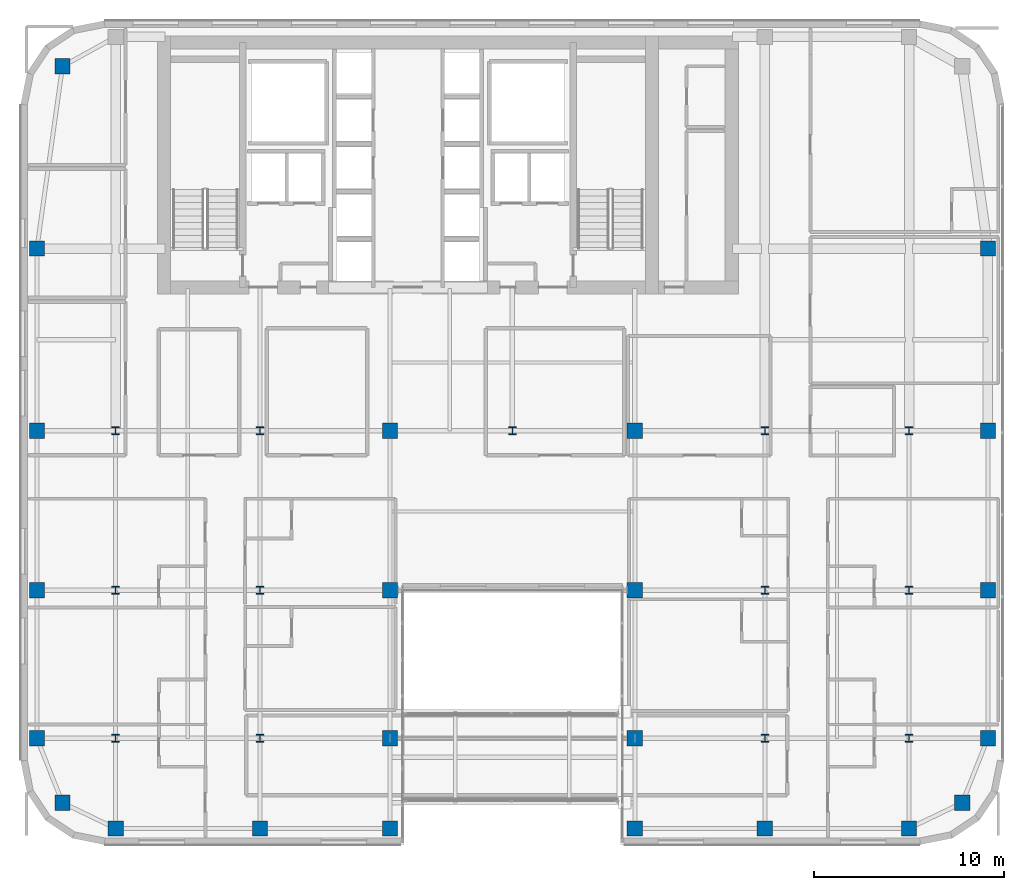
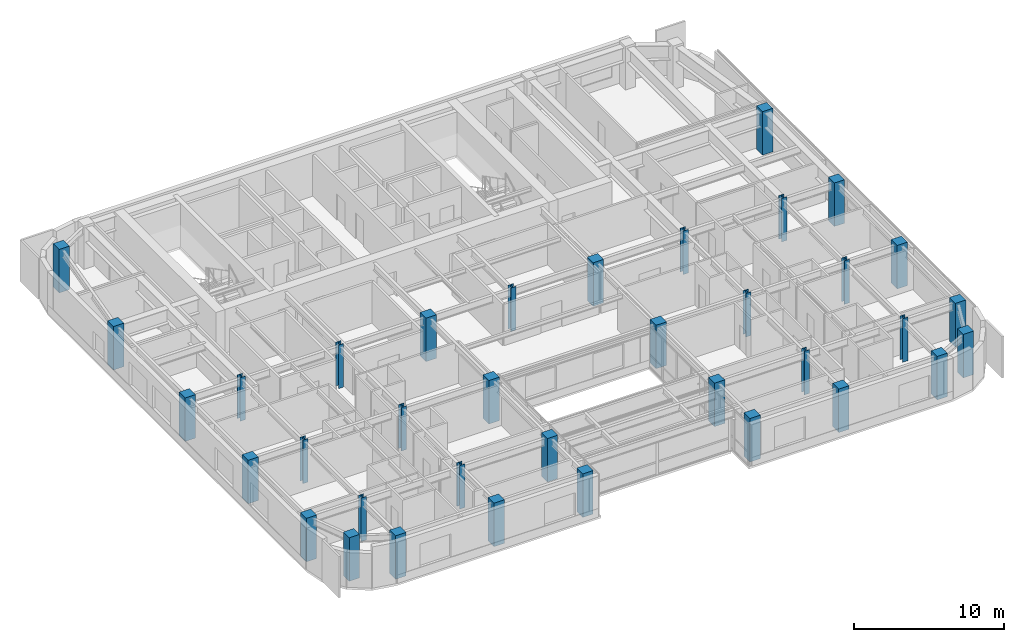
# One storey, part 1 of 26: 36 columns.
"""IFC4 building model written with IfcOpenShell, lengths in metres."""

from ifc_helpers import new_model, si_unit, direction, frame, origin, origin_2d, place, context, subcontext, project, spatial, rectangle, i_section, extrude, source, transform, mapped, material, material_profile, profile_set, type_object, type_shapes, element, save


model = new_model("IFC4")

# Units and contexts
model_context = context("Model", 3, precision=1e-05, world=origin(), true_north=direction((0.0, 1.0)))
body_context = subcontext(model_context, "Body", "Model", "MODEL_VIEW")
ifc_project = project(units=[si_unit("LENGTHUNIT", "METRE"), si_unit("AREAUNIT", "SQUARE_METRE"), si_unit("VOLUMEUNIT", "CUBIC_METRE"), si_unit("PLANEANGLEUNIT", "RADIAN"), si_unit("MASSUNIT", "GRAM", prefix="KILO")], contexts=[model_context])

# Site, building, storey
site_placement = place(None, origin())
site = spatial("IfcSite", under=ifc_project, at=site_placement, CompositionType="ELEMENT")
building_placement = place(site_placement, origin())
building = spatial("IfcBuilding", under=site, at=building_placement, Name="Tolvann Quenvar Hotel", CompositionType="ELEMENT")
storey_placement = place(building_placement, frame((0.0, 0.0, 168.35009765625)))
storey = spatial("IfcBuildingStorey", under=building, at=storey_placement, Name="L44", CompositionType="ELEMENT", Elevation=168.35009765625)

# Columns
ifc_material_1 = material(Name="Concrete N50 (50 MPa)", Category="concrete")
ifc_material_profile_1 = material_profile(ifc_material_1, rectangle(XDim=0.800048828125, YDim=0.800048828125, at=origin_2d()), Name="RC800x800")
ifc_profile_set_1 = profile_set([ifc_material_profile_1], Name="Concrete N50 (50 MPa)")
column_type_1 = type_object("IfcColumnType", Name="COL_RC800", PredefinedType="COLUMN", material=ifc_profile_set_1)
shared_shape_1 = source(origin(), body_context, "Body", "SweptSolid", [
    extrude(rectangle(XDim=0.800048828125, YDim=0.800048828125, at=origin_2d()), origin(), (0.0, 0.0, 1.0), 3.5498046875),
])
type_shapes(column_type_1, [shared_shape_1])
for number, where, z_axis, x_axis, name in (
    (1, (4.800048828125, 4.800048828125, 0.0), (0.0, 0.0, 1.0), (1.0, 0.0, 0.0), "Column B2 (L44)"),
    (2, (3.449951171875, 8.199951171875, 0.0), (0.0, 0.0, 1.0), (1.0, 0.0, 0.0), "Column B3 (L44)"),
    (3, (3.449951171875, 16.0, 0.0), (0.0, 0.0, 1.0), (1.0, 0.0, 0.0), "Column B4 (L44)"),
    (4, (3.449951171875, 24.39990234375, 0.0), (0.0, 0.0, 1.0), (1.0, 0.0, 0.0), "Column B5 (L44)"),
    (5, (7.60009765625, 3.449951171875, 0.0), (0.0, 0.0, 1.0), (1.0, 0.0, 0.0), "Column C2 (L44)"),
    (6, (15.199951171875, 3.449951171875, 0.0), (0.0, 0.0, 1.0), (1.0, 0.0, 0.0), "Column D2 (L44)"),
    (7, (22.050048828125, 3.449951171875, 0.0), (0.0, 0.0, 1.0), (1.0, 0.0, 0.0), "Column E2 (L44)"),
    (8, (22.050048828125, 8.199951171875, 0.0), (0.0, 0.0, 1.0), (1.0, 0.0, 0.0), "Column E3 (L44)"),
    (9, (22.050048828125, 16.0, 0.0), (0.0, 0.0, 1.0), (1.0, 0.0, 0.0), "Column E4 (L44)"),
    (10, (22.050048828125, 24.39990234375, 0.0), (0.0, 0.0, 1.0), (1.0, 0.0, 0.0), "Column E5 (L44)"),
    (11, (34.949951171875, 3.449951171875, 0.0), (0.0, 0.0, 1.0), (1.0, 0.0, 0.0), "Column F2 (L44)"),
    (12, (34.949951171875, 8.199951171875, 0.0), (0.0, 0.0, 1.0), (1.0, 0.0, 0.0), "Column F3 (L44)"),
    (13, (34.949951171875, 16.0, 0.0), (0.0, 0.0, 1.0), (1.0, 0.0, 0.0), "Column F4 (L44)"),
    (14, (34.949951171875, 24.39990234375, 0.0), (0.0, 0.0, 1.0), (1.0, 0.0, 0.0), "Column F5 (L44)"),
    (15, (41.800048828125, 3.449951171875, 0.0), (0.0, 0.0, 1.0), (1.0, 0.0, 0.0), "Column H2 (L44)"),
    (16, (49.39990234375, 3.449951171875, 0.0), (0.0, 0.0, 1.0), (1.0, 0.0, 0.0), "Column I2 (L44)"),
    (17, (52.199951171875, 4.800048828125, 0.0), (0.0, 0.0, 1.0), (1.0, 0.0, 0.0), "Column J2 (L44)"),
    (18, (53.550048828125, 8.199951171875, 0.0), (0.0, 0.0, 1.0), (1.0, 0.0, 0.0), "Column J3 (L44)"),
    (19, (53.550048828125, 16.0, 0.0), (0.0, 0.0, 1.0), (1.0, 0.0, 0.0), "Column J4 (L44)"),
    (20, (53.550048828125, 24.39990234375, 0.0), (0.0, 0.0, 1.0), (1.0, 0.0, 0.0), "Column J5 (L44)"),
    (21, (4.800048828125, 43.60009765625, 0.0), (0.0, 0.0, 1.0), (1.0, 0.0, 0.0), "Column BN (L44)"),
    (22, (3.449951171875, 34.0, 0.0), (0.0, 0.0, 1.0), (1.0, 0.0, 0.0), "Column BD6 (L44)"),
    (23, (53.550048828125, 34.0, 0.0), (0.0, 0.0, 1.0), (1.0, 0.0, 0.0), "Column JD6 (L44)"),
):
    element("IfcColumn", number, at=place(storey_placement, frame(where, z_axis=z_axis, x_axis=x_axis)), inside=storey, type_object=column_type_1, Name=name, PredefinedType="COLUMN", context=body_context, shape_type="MappedRepresentation", body=[
        mapped(shared_shape_1, transform((0.0, 0.0, 0.0), x_axis=(1.0, 0.0, 0.0), y_axis=(0.0, 1.0, 0.0), z_axis=(0.0, 0.0, 1.0), scale=1.0)),
    ])
ifc_material_2 = material(Name="Steel Grade 350", Category="steel")
ifc_material_profile_2 = material_profile(ifc_material_2, i_section(OverallWidth=0.39990234375, OverallDepth=0.39990234375, WebThickness=0.02001953125, FlangeThickness=0.034912109375, at=origin_2d()), Name="400WC270")
ifc_profile_set_2 = profile_set([ifc_material_profile_2], Name="Steel Grade 350")
column_type_2 = type_object("IfcColumnType", Name="COL_400WC270", PredefinedType="COLUMN", material=ifc_profile_set_2)
shared_shape_2 = source(origin(), body_context, "Body", "SweptSolid", [
    extrude(i_section(OverallWidth=0.39990234375, OverallDepth=0.39990234375, WebThickness=0.02001953125, FlangeThickness=0.034912109375, at=origin_2d()), origin(), (0.0, 0.0, 1.0), 3.5498046875),
])
type_shapes(column_type_2, [shared_shape_2])
for number, where, z_axis, x_axis, name in (
    (24, (7.60009765625, 8.199951171875, 0.0), (0.0, 0.0, 1.0), (1.0, 0.0, 0.0), "Column C3 (L44)"),
    (25, (7.60009765625, 16.0, 0.0), (0.0, 0.0, 1.0), (1.0, 0.0, 0.0), "Column C4 (L44)"),
    (26, (7.60009765625, 24.39990234375, 0.0), (0.0, 0.0, 1.0), (1.0, 0.0, 0.0), "Column C5 (L44)"),
    (27, (15.199951171875, 8.199951171875, 0.0), (0.0, 0.0, 1.0), (1.0, 0.0, 0.0), "Column D3 (L44)"),
    (28, (15.199951171875, 16.0, 0.0), (0.0, 0.0, 1.0), (1.0, 0.0, 0.0), "Column D4 (L44)"),
    (29, (15.199951171875, 24.39990234375, 0.0), (0.0, 0.0, 1.0), (1.0, 0.0, 0.0), "Column D5 (L44)"),
    (30, (41.800048828125, 8.199951171875, 0.0), (0.0, 0.0, 1.0), (1.0, 0.0, 0.0), "Column H3 (L44)"),
    (31, (41.800048828125, 16.0, 0.0), (0.0, 0.0, 1.0), (1.0, 0.0, 0.0), "Column H4 (L44)"),
    (32, (41.800048828125, 24.39990234375, 0.0), (0.0, 0.0, 1.0), (1.0, 0.0, 0.0), "Column H5 (L44)"),
    (33, (49.39990234375, 8.199951171875, 0.0), (0.0, 0.0, 1.0), (1.0, 0.0, 0.0), "Column I3 (L44)"),
    (34, (49.39990234375, 16.0, 0.0), (0.0, 0.0, 1.0), (1.0, 0.0, 0.0), "Column I4 (L44)"),
    (35, (49.39990234375, 24.39990234375, 0.0), (0.0, 0.0, 1.0), (1.0, 0.0, 0.0), "Column I5 (L44)"),
    (36, (28.5, 24.39990234375, 0.0), (0.0, 0.0, 1.0), (1.0, 0.0, 0.0), "Column M5 (L44)"),
):
    element("IfcColumn", number, at=place(storey_placement, frame(where, z_axis=z_axis, x_axis=x_axis)), inside=storey, type_object=column_type_2, Name=name, PredefinedType="COLUMN", context=body_context, shape_type="MappedRepresentation", body=[
        mapped(shared_shape_2, transform((0.0, 0.0, 0.0), x_axis=(1.0, 0.0, 0.0), y_axis=(0.0, 1.0, 0.0), z_axis=(0.0, 0.0, 1.0), scale=1.0)),
    ])

save(model, "model.ifc")
